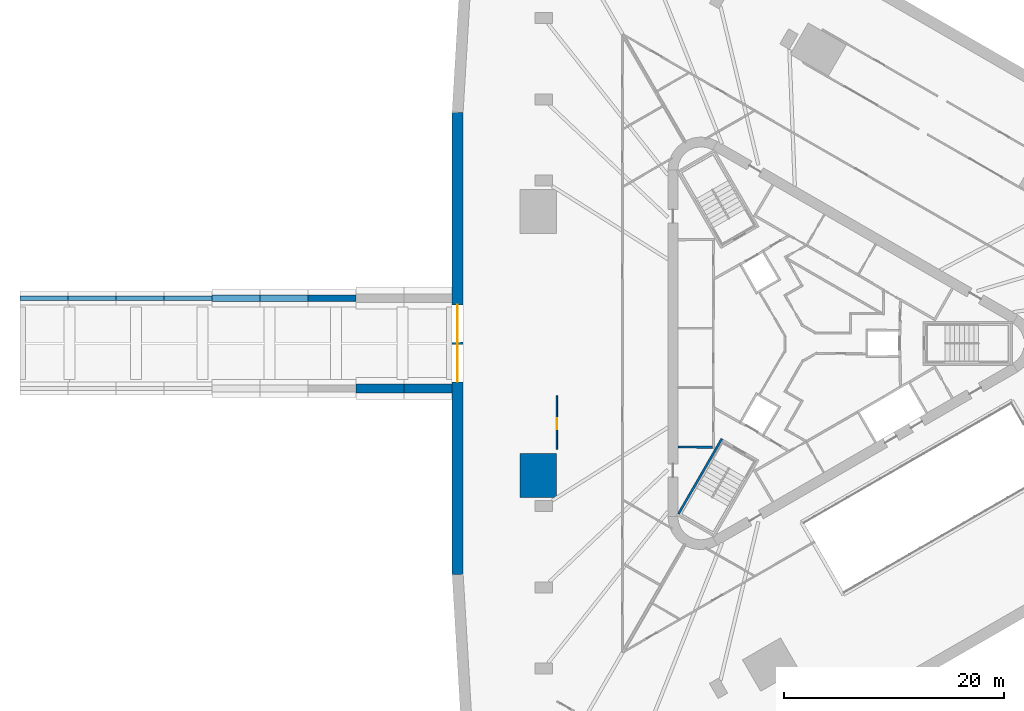
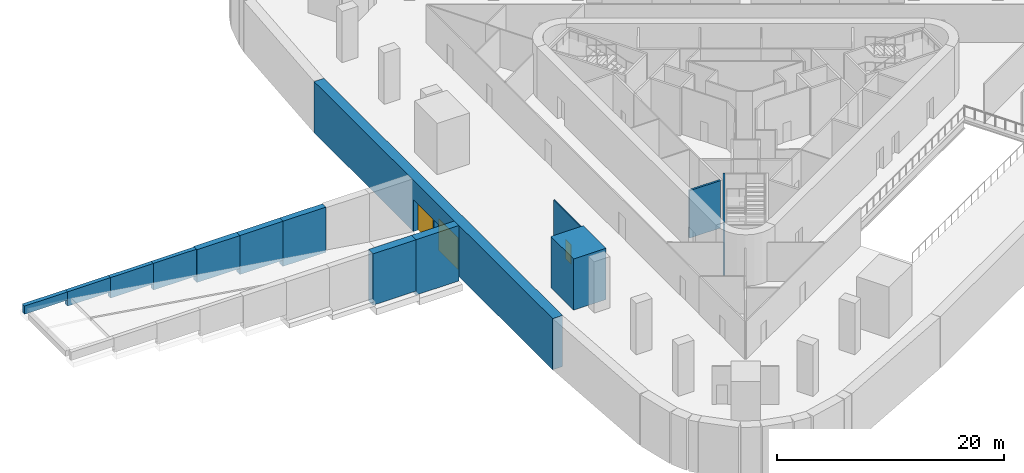
# One storey, part 4 of 13: 14 walls, 3 doors, 3 openings.
"""IFC4 building model written with IfcOpenShell, lengths in metres."""

from ifc_helpers import new_model, si_unit, direction, frame, frame_2d, origin, place, context, subcontext, project, spatial, polyline, rectangle, outline, extrude, material, layer, layer_set, type_object, element, fill, save


model = new_model("IFC4")

# Units and contexts
model_context = context("Model", 3, precision=1e-05, world=origin(), true_north=direction((0.0, 1.0)))
body_context = subcontext(model_context, "Body", "Model", "MODEL_VIEW")
ifc_project = project(units=[si_unit("LENGTHUNIT", "METRE"), si_unit("AREAUNIT", "SQUARE_METRE"), si_unit("VOLUMEUNIT", "CUBIC_METRE"), si_unit("PLANEANGLEUNIT", "RADIAN"), si_unit("MASSUNIT", "GRAM", prefix="KILO")], contexts=[model_context])

# Site, building, storey
site_placement = place(None, origin())
site = spatial("IfcSite", under=ifc_project, at=site_placement, CompositionType="ELEMENT")
building_placement = place(site_placement, origin())
building = spatial("IfcBuilding", under=site, at=building_placement, Name="Tanit Gate Tower", CompositionType="ELEMENT")
storey_placement = place(building_placement, frame((0.0, 0.0, -5.5)))
storey = spatial("IfcBuildingStorey", under=building, at=storey_placement, Name="B1", CompositionType="ELEMENT", Elevation=-5.5)

# Wall, openings, doors
ifc_material_1 = material(Name="Concrete C35/45", Category="concrete")
ifc_layer_1 = layer(ifc_material_1, 1.0)
ifc_layer_set_1 = layer_set([ifc_layer_1], Name="DIAPHRAGM WALL 1000 C35/45")
wall_type_1 = type_object("IfcWallType", Name="DIAPHRAGM WALL 1000 C35/45", PredefinedType="SHEAR", material=ifc_layer_set_1)
wall_1_placement = place(storey_placement, frame((-31.21728515625, -20.994140625, 0.0), z_axis=(0.0, 0.0, 1.0), x_axis=(-6.3957579e-05, 0.999999997955, 0.0)))
wall_1 = element("IfcWall", 1, at=wall_1_placement, inside=storey, type_object=wall_type_1, Name="DIAPHRAGM WALL", PredefinedType="SHEAR", context=body_context, shape_type="SweptSolid", body=[
    extrude(rectangle(XDim=41.989501953125, YDim=1.0, at=frame_2d((20.99462890625, 0.0))), origin(), (0.0, 0.0, 1.0), 5.5),
])
opening_1_placement = place(wall_1_placement, frame((21.09423828125, 0.0, 0.0)))
opening_1 = element("IfcOpeningElement", 2, at=opening_1_placement, cuts=wall_1, Name="Opening D3", PredefinedType="OPENING", context=body_context, shape_type="SweptSolid", body=[
    extrude(rectangle(XDim=3.39990234375, YDim=3.39990234375, at=frame_2d((1.699951171875, 1.699951171875))), frame((0.0, 0.510009765625, 0.0), z_axis=(0.0, -1.0, 0.0), x_axis=(1.0, 0.0, 0.0)), (0.0, 0.0, 1.0), 1.02001953125),
])
opening_2_placement = place(wall_1_placement, frame((17.494140625, 0.0, 0.0)))
opening_2 = element("IfcOpeningElement", 3, at=opening_2_placement, cuts=wall_1, Name="Opening D3", PredefinedType="OPENING", context=body_context, shape_type="SweptSolid", body=[
    extrude(rectangle(XDim=3.39990234375, YDim=3.39990234375, at=frame_2d((1.699951171875, 1.699951171875))), frame((0.0, 0.510009765625, 0.0), z_axis=(0.0, -1.0, 0.0), x_axis=(1.0, 0.0, 0.0)), (0.0, 0.0, 1.0), 1.02001953125),
])
ifc_material_2 = material(Name="Steel S355 galvanised", Category="steel")
door_type_1 = type_object("IfcDoorType", Name="Vehicle gate roller shutter 3400x3400", OperationType="ROLLINGUP", PredefinedType="GATE", material=ifc_material_2)
door_1_placement = place(opening_1_placement, origin())
door_1 = element("IfcDoor", 4, at=door_1_placement, inside=storey, type_object=door_type_1, Name="Vehicle gate Out", OperationType="ROLLINGUP", OverallHeight=3.39990234375, OverallWidth=3.39990234375, PredefinedType="GATE", context=body_context, shape_type="SweptSolid", body=[
    extrude(rectangle(XDim=3.39990234375, YDim=3.39990234375, at=frame_2d((1.699951171875, 1.699951171875))), frame((0.0, 0.02490234375, 0.0), z_axis=(0.0, -1.0, 0.0), x_axis=(1.0, 0.0, 0.0)), (0.0, 0.0, 1.0), 0.050048828125),
])
fill(opening_1, door_1)
door_2_placement = place(opening_2_placement, origin())
door_2 = element("IfcDoor", 5, at=door_2_placement, inside=storey, type_object=door_type_1, Name="Vehicle gate In", OperationType="ROLLINGUP", OverallHeight=3.39990234375, OverallWidth=3.39990234375, PredefinedType="GATE", context=body_context, shape_type="SweptSolid", body=[
    extrude(rectangle(XDim=3.39990234375, YDim=3.39990234375, at=frame_2d((1.699951171875, 1.699951171875))), frame((0.0, 0.02490234375, 0.0), z_axis=(0.0, -1.0, 0.0), x_axis=(1.0, 0.0, 0.0)), (0.0, 0.0, 1.0), 0.050048828125),
])
fill(opening_2, door_2)

# Wall
ifc_material_3 = material(Name="Fire-rated gypsum board partition")
ifc_layer_2 = layer(ifc_material_3, 0.199951171875)
ifc_layer_set_2 = layer_set([ifc_layer_2], Name="INT-WALL-COMPARTMENT")
wall_type_2 = type_object("IfcWallType", Name="INT-WALL-COMPARTMENT", PredefinedType="PARTITIONING", material=ifc_layer_set_2)
wall_2_placement = place(storey_placement, frame((-11.199951171875, -9.419921875, 0.0), z_axis=(0.0, 0.0, 1.0), x_axis=(0.999957467379, -0.009222983926, 0.0)))
element("IfcWall", 6, at=wall_2_placement, inside=storey, type_object=wall_type_2, Name="Wall Compartment W040", PredefinedType="PARTITIONING", context=body_context, shape_type="SweptSolid", body=[
    extrude(rectangle(XDim=3.150146484375, YDim=0.199951171875, at=frame_2d((1.5751953125, 0.0))), origin(), (0.0, 0.0, 1.0), 5.10009765625),
])

# Wall, opening, door
ifc_material_4 = material(Name="Gypsum board partition")
ifc_layer_3 = layer(ifc_material_4, 0.1201171875)
ifc_layer_set_3 = layer_set([ifc_layer_3], Name="INT-WALL-PARTITION")
wall_type_3 = type_object("IfcWallType", Name="INT-WALL-PARTITION", PredefinedType="PARTITIONING", material=ifc_layer_set_3)
wall_3_placement = place(storey_placement, frame((-22.199951171875, -9.6298828125, 0.0), z_axis=(0.0, 0.0, 1.0), x_axis=(0.0, 1.0, 0.0)))
wall_3 = element("IfcWall", 7, at=wall_3_placement, inside=storey, type_object=wall_type_3, Name="Wall Partition W101", PredefinedType="PARTITIONING", context=body_context, shape_type="SweptSolid", body=[
    extrude(rectangle(XDim=4.85986328125, YDim=0.1201171875, at=frame_2d((2.429931640625, 0.0))), origin(), (0.0, 0.0, 1.0), 5.10009765625),
])
opening_3_placement = place(wall_3_placement, frame((1.830078125, 0.0, 0.0)))
opening_3 = element("IfcOpeningElement", 8, at=opening_3_placement, cuts=wall_3, Name="Opening D10-B1-39", PredefinedType="OPENING", context=body_context, shape_type="SweptSolid", body=[
    extrude(rectangle(XDim=1.0, YDim=2.10009765625, at=frame_2d((0.5, 1.050048828125))), frame((0.0, 0.070068359375, 0.0), z_axis=(0.0, -1.0, 0.0), x_axis=(1.0, 0.0, 0.0)), (0.0, 0.0, 1.0), 0.14013671875),
])
ifc_material_5 = material(Name="Timber door leaf", Category="wood")
door_type_2 = type_object("IfcDoorType", Name="INT-DOOR-SINGLE-1000", OperationType="NOTDEFINED", PredefinedType="NOTDEFINED", material=ifc_material_5)
door_3_placement = place(opening_3_placement, origin())
door_3 = element("IfcDoor", 9, at=door_3_placement, inside=storey, type_object=door_type_2, Name="Door D10-B1-39", OperationType="SINGLE_SWING_RIGHT", OverallHeight=2.10009765625, OverallWidth=1.0, PredefinedType="NOTDEFINED", context=body_context, shape_type="SweptSolid", body=[
    extrude(rectangle(XDim=1.0, YDim=2.10009765625, at=frame_2d((0.5, 1.050048828125))), frame((0.0, 0.02490234375, 0.0), z_axis=(0.0, -1.0, 0.0), x_axis=(1.0, 0.0, 0.0)), (0.0, 0.0, 1.0), 0.050048828125),
])
fill(opening_3, door_3)

# Walls
ifc_material_6 = material(Name="Concrete C40/50", Category="concrete")
ifc_layer_4 = layer(ifc_material_6, 0.199951171875)
ifc_layer_set_4 = layer_set([ifc_layer_4], Name="INT-WALL-STAIR")
wall_type_4 = type_object("IfcWallType", Name="INT-WALL-STAIR", PredefinedType="SHEAR", material=ifc_layer_set_4)
wall_4_placement = place(storey_placement, frame((-7.195556640625, -8.662841796875, -0.39990234375), z_axis=(0.0, 0.0, 1.0), x_axis=(-0.499997992926, -0.866026562566, 0.0)))
element("IfcWall", 10, at=wall_4_placement, inside=storey, type_object=wall_type_4, Name="Wall Stair W026", PredefinedType="SHEAR", context=body_context, shape_type="SweptSolid", body=[
    extrude(rectangle(XDim=7.89990234375, YDim=0.199951171875, at=frame_2d((3.949951171875, 0.0))), origin(), (0.0, 0.0, 1.0), 5.5),
])
ifc_material_7 = material(Name="Concrete C60/75", Category="concrete")
ifc_layer_5 = layer(ifc_material_7, 4.0)
ifc_layer_set_5 = layer_set([ifc_layer_5], Name="PIER WALL 4000 C60/75")
wall_type_5 = type_object("IfcWallType", Name="PIER WALL 4000 C60/75", PredefinedType="SHEAR", material=ifc_layer_set_5)
wall_5_placement = place(storey_placement, origin())
element("IfcWall", 11, at=wall_5_placement, inside=storey, type_object=wall_type_5, Name="PIER WALL", PredefinedType="SHEAR", context=body_context, shape_type="SweptSolid", body=[
    extrude(outline(polyline([(-25.553466796875, -10.0), (-25.553466796875, -14.0), (-22.25341796875, -14.0), (-22.25341796875, -10.0), (-25.553466796875, -10.0)])), origin(), (0.0, 0.0, 1.0), 5.5),
])
ifc_material_8 = material(Name="Concrete C35/45", Category="concrete")
ifc_layer_6 = layer(ifc_material_8, 0.39990234375)
ifc_layer_set_6 = layer_set([ifc_layer_6], Name="RETAINING WALL 400 C35/45")
wall_type_6 = type_object("IfcWallType", Name="RETAINING WALL 400 C35/45", PredefinedType="SOLIDWALL", material=ifc_layer_set_6)
wall_6_placement = place(storey_placement, frame((-53.542236328125, 4.10009765625, 2.630859375), z_axis=(0.0, 0.0, 1.0), x_axis=(-1.0, 0.0, 0.0)))
element("IfcWall", 12, at=wall_6_placement, inside=storey, type_object=wall_type_6, Name="RETAINING WALL", PredefinedType="SOLIDWALL", context=body_context, shape_type="SweptSolid", body=[
    extrude(rectangle(XDim=4.364501953125, YDim=0.39990234375, at=frame_2d((2.18212890625, 0.0))), origin(), (0.0, 0.0, 1.0), 2.869140625),
])
wall_7_placement = place(storey_placement, frame((-57.90673828125, 4.10009765625, 3.29248046875), z_axis=(0.0, 0.0, 1.0), x_axis=(-1.0, 0.0, 0.0)))
element("IfcWall", 13, at=wall_7_placement, inside=storey, type_object=wall_type_6, Name="RETAINING WALL", PredefinedType="SOLIDWALL", context=body_context, shape_type="SweptSolid", body=[
    extrude(rectangle(XDim=4.3642578125, YDim=0.39990234375, at=frame_2d((2.18212890625, 0.0))), origin(), (0.0, 0.0, 1.0), 2.20751953125),
])
wall_8_placement = place(storey_placement, frame((-62.27099609375, 4.10009765625, 3.9541015625), z_axis=(0.0, 0.0, 1.0), x_axis=(-1.0, 0.0, 0.0)))
element("IfcWall", 14, at=wall_8_placement, inside=storey, type_object=wall_type_6, Name="RETAINING WALL", PredefinedType="SOLIDWALL", context=body_context, shape_type="SweptSolid", body=[
    extrude(rectangle(XDim=4.364501953125, YDim=0.39990234375, at=frame_2d((2.18212890625, 0.0))), origin(), (0.0, 0.0, 1.0), 1.5458984375),
])
wall_9_placement = place(storey_placement, frame((-66.635498046875, 4.10009765625, 4.61572265625), z_axis=(0.0, 0.0, 1.0), x_axis=(-1.0, 0.0, 0.0)))
element("IfcWall", 15, at=wall_9_placement, inside=storey, type_object=wall_type_6, Name="RETAINING WALL", PredefinedType="SOLIDWALL", context=body_context, shape_type="SweptSolid", body=[
    extrude(rectangle(XDim=4.364501953125, YDim=0.39990234375, at=frame_2d((2.18212890625, 0.0))), origin(), (0.0, 0.0, 1.0), 0.88427734375),
])
ifc_material_9 = material(Name="Concrete C35/45", Category="concrete")
ifc_layer_7 = layer(ifc_material_9, 0.60009765625)
ifc_layer_set_7 = layer_set([ifc_layer_7], Name="RETAINING WALL 600 C35/45")
wall_type_7 = type_object("IfcWallType", Name="RETAINING WALL 600 C35/45", PredefinedType="SOLIDWALL", material=ifc_layer_set_7)
wall_10_placement = place(storey_placement, frame((-40.448974609375, 4.10009765625, 0.64599609375), z_axis=(0.0, 0.0, 1.0), x_axis=(-1.0, 0.0, 0.0)))
element("IfcWall", 16, at=wall_10_placement, inside=storey, type_object=wall_type_7, Name="RETAINING WALL", PredefinedType="SOLIDWALL", context=body_context, shape_type="SweptSolid", body=[
    extrude(rectangle(XDim=4.3642578125, YDim=0.60009765625, at=frame_2d((2.18212890625, 0.0))), origin(), (0.0, 0.0, 1.0), 4.85400390625),
])
wall_11_placement = place(storey_placement, frame((-44.813232421875, 4.10009765625, 1.3076171875), z_axis=(0.0, 0.0, 1.0), x_axis=(-1.0, 0.0, 0.0)))
element("IfcWall", 17, at=wall_11_placement, inside=storey, type_object=wall_type_7, Name="RETAINING WALL", PredefinedType="SOLIDWALL", context=body_context, shape_type="SweptSolid", body=[
    extrude(rectangle(XDim=4.364501953125, YDim=0.60009765625, at=frame_2d((2.18212890625, 0.0))), origin(), (0.0, 0.0, 1.0), 4.1923828125),
])
wall_12_placement = place(storey_placement, frame((-49.177734375, 4.10009765625, 1.96923828125), z_axis=(0.0, 0.0, 1.0), x_axis=(-1.0, 0.0, 0.0)))
element("IfcWall", 18, at=wall_12_placement, inside=storey, type_object=wall_type_7, Name="RETAINING WALL", PredefinedType="SOLIDWALL", context=body_context, shape_type="SweptSolid", body=[
    extrude(rectangle(XDim=4.364501953125, YDim=0.60009765625, at=frame_2d((2.18212890625, 0.0))), origin(), (0.0, 0.0, 1.0), 3.53076171875),
])
ifc_material_10 = material(Name="Concrete C35/45", Category="concrete")
ifc_layer_8 = layer(ifc_material_10, 0.800048828125)
ifc_layer_set_8 = layer_set([ifc_layer_8], Name="RETAINING WALL 800 C35/45")
wall_type_8 = type_object("IfcWallType", Name="RETAINING WALL 800 C35/45", PredefinedType="SOLIDWALL", material=ifc_layer_set_8)
wall_13_placement = place(storey_placement, frame((-31.719970703125, -4.10009765625, -0.449951171875), z_axis=(0.0, 0.0, 1.0), x_axis=(-1.0, 0.0, 0.0)))
element("IfcWall", 19, at=wall_13_placement, inside=storey, type_object=wall_type_8, Name="RETAINING WALL", PredefinedType="SOLIDWALL", context=body_context, shape_type="SweptSolid", body=[
    extrude(rectangle(XDim=4.364501953125, YDim=0.800048828125, at=frame_2d((2.18212890625, 0.0))), origin(), (0.0, 0.0, 1.0), 5.949951171875),
])
wall_14_placement = place(storey_placement, frame((-36.08447265625, -4.10009765625, -0.015625), z_axis=(0.0, 0.0, 1.0), x_axis=(-1.0, 0.0, 0.0)))
element("IfcWall", 20, at=wall_14_placement, inside=storey, type_object=wall_type_8, Name="RETAINING WALL", PredefinedType="SOLIDWALL", context=body_context, shape_type="SweptSolid", body=[
    extrude(rectangle(XDim=4.364501953125, YDim=0.800048828125, at=frame_2d((2.18212890625, 0.0))), origin(), (0.0, 0.0, 1.0), 5.515625),
])

save(model, "model.ifc")
